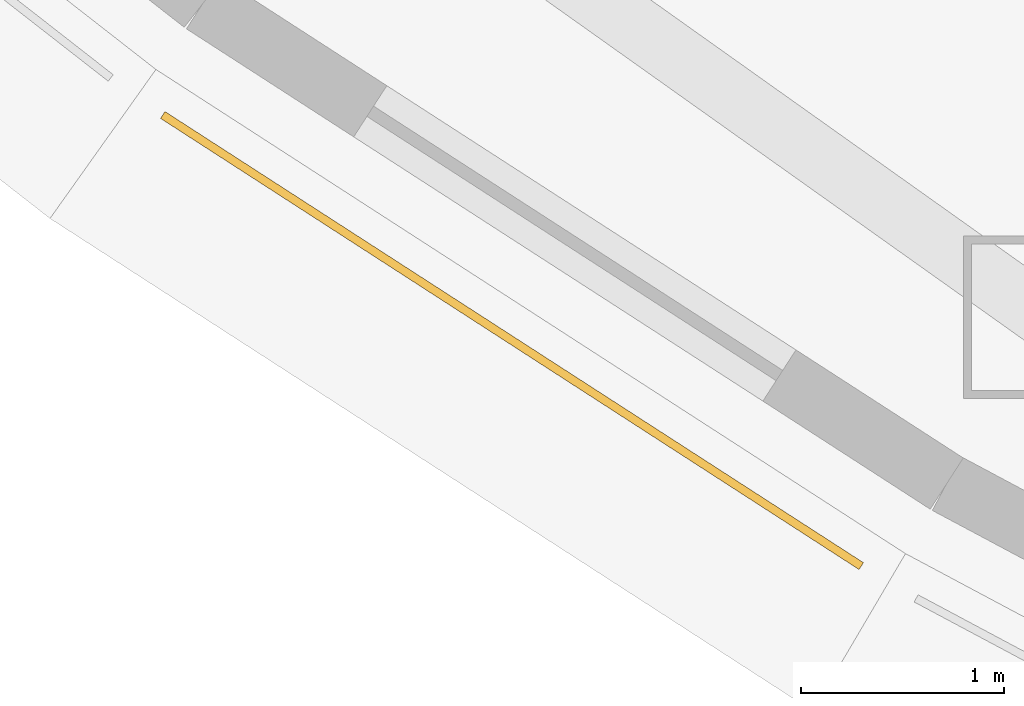
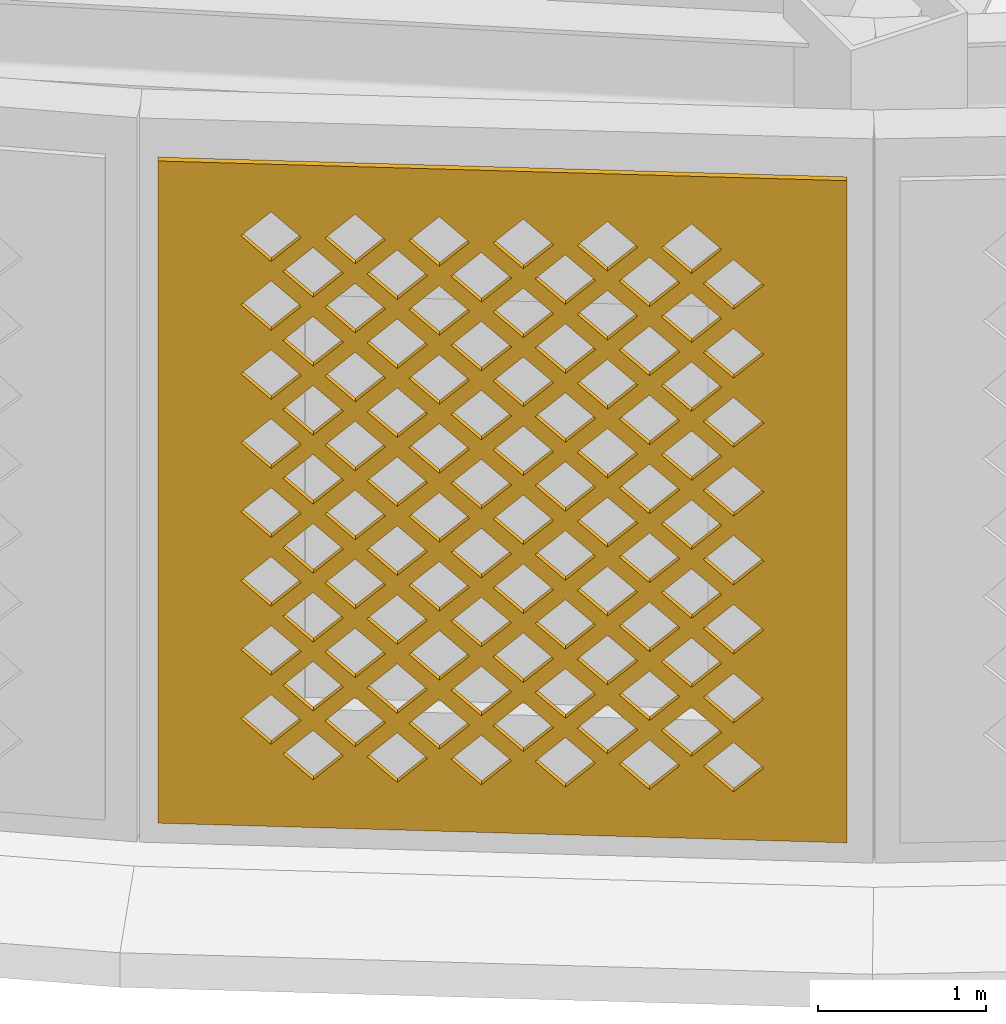
# One storey, part 34 of 69: 1 covering.
"""IFC4 building model written with IfcOpenShell, lengths in metres."""

from ifc_helpers import new_model, si_unit, direction, frame, origin, place, context, subcontext, project, spatial, polyline, outline, extrude, material, layer, layer_set, type_object, element, save


model = new_model("IFC4")

# Units and contexts
model_context = context("Model", 3, precision=1e-05, world=origin(), true_north=direction((0.0, 1.0)))
body_context = subcontext(model_context, "Body", "Model", "MODEL_VIEW")
ifc_project = project(units=[si_unit("LENGTHUNIT", "METRE"), si_unit("AREAUNIT", "SQUARE_METRE"), si_unit("VOLUMEUNIT", "CUBIC_METRE"), si_unit("PLANEANGLEUNIT", "RADIAN"), si_unit("MASSUNIT", "GRAM", prefix="KILO")], contexts=[model_context])

# Site, building, storey
site_placement = place(None, origin())
site = spatial("IfcSite", under=ifc_project, at=site_placement, CompositionType="ELEMENT")
building_placement = place(site_placement, origin())
building = spatial("IfcBuilding", under=site, at=building_placement, Name="Noorbagh Ring Tower", CompositionType="ELEMENT")
storey_placement = place(building_placement, frame((0.0, 0.0, 19.5)))
storey = spatial("IfcBuildingStorey", under=building, at=storey_placement, Name="L03", CompositionType="ELEMENT", Elevation=19.5)

# Covering
ifc_material = material(Name="Red sandstone jali", Category="masonry")
ifc_layer = layer(ifc_material, 0.0400390625)
ifc_layer_set = layer_set([ifc_layer], Name="Red sandstone jali")
covering_type = type_object("IfcCoveringType", Name="STY-JALI", PredefinedType="USERDEFINED", material=ifc_layer_set)
covering_placement = place(storey_placement, frame((-35.224853515625, -29.6494140625, 0.449951171875), z_axis=(-0.542524555296, -0.840039943634, 0.0), x_axis=(0.840039943634, -0.542524555296, 0.0)))
element("IfcCovering", 1, at=covering_placement, inside=storey, type_object=covering_type, Name="Jali screen", ObjectType="SCREEN", PredefinedType="USERDEFINED", context=body_context, shape_type="SweptSolid", body=[
    extrude(outline(polyline([(0.0, 0.0), (4.096435546875, 0.0), (4.096435546875, 4.800048828125), (0.0, 4.800048828125), (0.0, 0.0)]), holes=[polyline([(0.7431640625, 0.52490234375), (0.923095703125, 0.344970703125), (1.103271484375, 0.52490234375), (0.923095703125, 0.705078125), (0.7431640625, 0.52490234375)]), polyline([(1.2431640625, 0.52490234375), (1.423095703125, 0.344970703125), (1.603271484375, 0.52490234375), (1.423095703125, 0.705078125), (1.2431640625, 0.52490234375)]), polyline([(1.7431640625, 0.52490234375), (1.923095703125, 0.344970703125), (2.103271484375, 0.52490234375), (1.923095703125, 0.705078125), (1.7431640625, 0.52490234375)]), polyline([(2.2431640625, 0.52490234375), (2.423095703125, 0.344970703125), (2.603271484375, 0.52490234375), (2.423095703125, 0.705078125), (2.2431640625, 0.52490234375)]), polyline([(2.7431640625, 0.52490234375), (2.923095703125, 0.344970703125), (3.103271484375, 0.52490234375), (2.923095703125, 0.705078125), (2.7431640625, 0.52490234375)]), polyline([(3.2431640625, 0.52490234375), (3.423095703125, 0.344970703125), (3.603271484375, 0.52490234375), (3.423095703125, 0.705078125), (3.2431640625, 0.52490234375)]), polyline([(0.4931640625, 0.77490234375), (0.673095703125, 0.594970703125), (0.853271484375, 0.77490234375), (0.673095703125, 0.955078125), (0.4931640625, 0.77490234375)]), polyline([(0.9931640625, 0.77490234375), (1.173095703125, 0.594970703125), (1.353271484375, 0.77490234375), (1.173095703125, 0.955078125), (0.9931640625, 0.77490234375)]), polyline([(1.4931640625, 0.77490234375), (1.673095703125, 0.594970703125), (1.853271484375, 0.77490234375), (1.673095703125, 0.955078125), (1.4931640625, 0.77490234375)]), polyline([(1.9931640625, 0.77490234375), (2.173095703125, 0.594970703125), (2.353271484375, 0.77490234375), (2.173095703125, 0.955078125), (1.9931640625, 0.77490234375)]), polyline([(2.4931640625, 0.77490234375), (2.673095703125, 0.594970703125), (2.853271484375, 0.77490234375), (2.673095703125, 0.955078125), (2.4931640625, 0.77490234375)]), polyline([(2.9931640625, 0.77490234375), (3.173095703125, 0.594970703125), (3.353271484375, 0.77490234375), (3.173095703125, 0.955078125), (2.9931640625, 0.77490234375)]), polyline([(0.7431640625, 1.02490234375), (0.923095703125, 0.844970703125), (1.103271484375, 1.02490234375), (0.923095703125, 1.205078125), (0.7431640625, 1.02490234375)]), polyline([(1.2431640625, 1.02490234375), (1.423095703125, 0.844970703125), (1.603271484375, 1.02490234375), (1.423095703125, 1.205078125), (1.2431640625, 1.02490234375)]), polyline([(1.7431640625, 1.02490234375), (1.923095703125, 0.844970703125), (2.103271484375, 1.02490234375), (1.923095703125, 1.205078125), (1.7431640625, 1.02490234375)]), polyline([(2.2431640625, 1.02490234375), (2.423095703125, 0.844970703125), (2.603271484375, 1.02490234375), (2.423095703125, 1.205078125), (2.2431640625, 1.02490234375)]), polyline([(2.7431640625, 1.02490234375), (2.923095703125, 0.844970703125), (3.103271484375, 1.02490234375), (2.923095703125, 1.205078125), (2.7431640625, 1.02490234375)]), polyline([(3.2431640625, 1.02490234375), (3.423095703125, 0.844970703125), (3.603271484375, 1.02490234375), (3.423095703125, 1.205078125), (3.2431640625, 1.02490234375)]), polyline([(0.4931640625, 1.27490234375), (0.673095703125, 1.094970703125), (0.853271484375, 1.27490234375), (0.673095703125, 1.455078125), (0.4931640625, 1.27490234375)]), polyline([(0.9931640625, 1.27490234375), (1.173095703125, 1.094970703125), (1.353271484375, 1.27490234375), (1.173095703125, 1.455078125), (0.9931640625, 1.27490234375)]), polyline([(1.4931640625, 1.27490234375), (1.673095703125, 1.094970703125), (1.853271484375, 1.27490234375), (1.673095703125, 1.455078125), (1.4931640625, 1.27490234375)]), polyline([(1.9931640625, 1.27490234375), (2.173095703125, 1.094970703125), (2.353271484375, 1.27490234375), (2.173095703125, 1.455078125), (1.9931640625, 1.27490234375)]), polyline([(2.4931640625, 1.27490234375), (2.673095703125, 1.094970703125), (2.853271484375, 1.27490234375), (2.673095703125, 1.455078125), (2.4931640625, 1.27490234375)]), polyline([(2.9931640625, 1.27490234375), (3.173095703125, 1.094970703125), (3.353271484375, 1.27490234375), (3.173095703125, 1.455078125), (2.9931640625, 1.27490234375)]), polyline([(0.7431640625, 1.52490234375), (0.923095703125, 1.344970703125), (1.103271484375, 1.52490234375), (0.923095703125, 1.705078125), (0.7431640625, 1.52490234375)]), polyline([(1.2431640625, 1.52490234375), (1.423095703125, 1.344970703125), (1.603271484375, 1.52490234375), (1.423095703125, 1.705078125), (1.2431640625, 1.52490234375)]), polyline([(1.7431640625, 1.52490234375), (1.923095703125, 1.344970703125), (2.103271484375, 1.52490234375), (1.923095703125, 1.705078125), (1.7431640625, 1.52490234375)]), polyline([(2.2431640625, 1.52490234375), (2.423095703125, 1.344970703125), (2.603271484375, 1.52490234375), (2.423095703125, 1.705078125), (2.2431640625, 1.52490234375)]), polyline([(2.7431640625, 1.52490234375), (2.923095703125, 1.344970703125), (3.103271484375, 1.52490234375), (2.923095703125, 1.705078125), (2.7431640625, 1.52490234375)]), polyline([(3.2431640625, 1.52490234375), (3.423095703125, 1.344970703125), (3.603271484375, 1.52490234375), (3.423095703125, 1.705078125), (3.2431640625, 1.52490234375)]), polyline([(0.4931640625, 1.77490234375), (0.673095703125, 1.594970703125), (0.853271484375, 1.77490234375), (0.673095703125, 1.955078125), (0.4931640625, 1.77490234375)]), polyline([(0.9931640625, 1.77490234375), (1.173095703125, 1.594970703125), (1.353271484375, 1.77490234375), (1.173095703125, 1.955078125), (0.9931640625, 1.77490234375)]), polyline([(1.4931640625, 1.77490234375), (1.673095703125, 1.594970703125), (1.853271484375, 1.77490234375), (1.673095703125, 1.955078125), (1.4931640625, 1.77490234375)]), polyline([(1.9931640625, 1.77490234375), (2.173095703125, 1.594970703125), (2.353271484375, 1.77490234375), (2.173095703125, 1.955078125), (1.9931640625, 1.77490234375)]), polyline([(2.4931640625, 1.77490234375), (2.673095703125, 1.594970703125), (2.853271484375, 1.77490234375), (2.673095703125, 1.955078125), (2.4931640625, 1.77490234375)]), polyline([(2.9931640625, 1.77490234375), (3.173095703125, 1.594970703125), (3.353271484375, 1.77490234375), (3.173095703125, 1.955078125), (2.9931640625, 1.77490234375)]), polyline([(0.7431640625, 2.02490234375), (0.923095703125, 1.844970703125), (1.103271484375, 2.02490234375), (0.923095703125, 2.205078125), (0.7431640625, 2.02490234375)]), polyline([(1.2431640625, 2.02490234375), (1.423095703125, 1.844970703125), (1.603271484375, 2.02490234375), (1.423095703125, 2.205078125), (1.2431640625, 2.02490234375)]), polyline([(1.7431640625, 2.02490234375), (1.923095703125, 1.844970703125), (2.103271484375, 2.02490234375), (1.923095703125, 2.205078125), (1.7431640625, 2.02490234375)]), polyline([(2.2431640625, 2.02490234375), (2.423095703125, 1.844970703125), (2.603271484375, 2.02490234375), (2.423095703125, 2.205078125), (2.2431640625, 2.02490234375)]), polyline([(2.7431640625, 2.02490234375), (2.923095703125, 1.844970703125), (3.103271484375, 2.02490234375), (2.923095703125, 2.205078125), (2.7431640625, 2.02490234375)]), polyline([(3.2431640625, 2.02490234375), (3.423095703125, 1.844970703125), (3.603271484375, 2.02490234375), (3.423095703125, 2.205078125), (3.2431640625, 2.02490234375)]), polyline([(0.4931640625, 2.27490234375), (0.673095703125, 2.094970703125), (0.853271484375, 2.27490234375), (0.673095703125, 2.455078125), (0.4931640625, 2.27490234375)]), polyline([(0.9931640625, 2.27490234375), (1.173095703125, 2.094970703125), (1.353271484375, 2.27490234375), (1.173095703125, 2.455078125), (0.9931640625, 2.27490234375)]), polyline([(1.4931640625, 2.27490234375), (1.673095703125, 2.094970703125), (1.853271484375, 2.27490234375), (1.673095703125, 2.455078125), (1.4931640625, 2.27490234375)]), polyline([(1.9931640625, 2.27490234375), (2.173095703125, 2.094970703125), (2.353271484375, 2.27490234375), (2.173095703125, 2.455078125), (1.9931640625, 2.27490234375)]), polyline([(2.4931640625, 2.27490234375), (2.673095703125, 2.094970703125), (2.853271484375, 2.27490234375), (2.673095703125, 2.455078125), (2.4931640625, 2.27490234375)]), polyline([(2.9931640625, 2.27490234375), (3.173095703125, 2.094970703125), (3.353271484375, 2.27490234375), (3.173095703125, 2.455078125), (2.9931640625, 2.27490234375)]), polyline([(0.7431640625, 2.52490234375), (0.923095703125, 2.344970703125), (1.103271484375, 2.52490234375), (0.923095703125, 2.705078125), (0.7431640625, 2.52490234375)]), polyline([(1.2431640625, 2.52490234375), (1.423095703125, 2.344970703125), (1.603271484375, 2.52490234375), (1.423095703125, 2.705078125), (1.2431640625, 2.52490234375)]), polyline([(1.7431640625, 2.52490234375), (1.923095703125, 2.344970703125), (2.103271484375, 2.52490234375), (1.923095703125, 2.705078125), (1.7431640625, 2.52490234375)]), polyline([(2.2431640625, 2.52490234375), (2.423095703125, 2.344970703125), (2.603271484375, 2.52490234375), (2.423095703125, 2.705078125), (2.2431640625, 2.52490234375)]), polyline([(2.7431640625, 2.52490234375), (2.923095703125, 2.344970703125), (3.103271484375, 2.52490234375), (2.923095703125, 2.705078125), (2.7431640625, 2.52490234375)]), polyline([(3.2431640625, 2.52490234375), (3.423095703125, 2.344970703125), (3.603271484375, 2.52490234375), (3.423095703125, 2.705078125), (3.2431640625, 2.52490234375)]), polyline([(0.4931640625, 2.77490234375), (0.673095703125, 2.594970703125), (0.853271484375, 2.77490234375), (0.673095703125, 2.955078125), (0.4931640625, 2.77490234375)]), polyline([(0.9931640625, 2.77490234375), (1.173095703125, 2.594970703125), (1.353271484375, 2.77490234375), (1.173095703125, 2.955078125), (0.9931640625, 2.77490234375)]), polyline([(1.4931640625, 2.77490234375), (1.673095703125, 2.594970703125), (1.853271484375, 2.77490234375), (1.673095703125, 2.955078125), (1.4931640625, 2.77490234375)]), polyline([(1.9931640625, 2.77490234375), (2.173095703125, 2.594970703125), (2.353271484375, 2.77490234375), (2.173095703125, 2.955078125), (1.9931640625, 2.77490234375)]), polyline([(2.4931640625, 2.77490234375), (2.673095703125, 2.594970703125), (2.853271484375, 2.77490234375), (2.673095703125, 2.955078125), (2.4931640625, 2.77490234375)]), polyline([(2.9931640625, 2.77490234375), (3.173095703125, 2.594970703125), (3.353271484375, 2.77490234375), (3.173095703125, 2.955078125), (2.9931640625, 2.77490234375)]), polyline([(0.7431640625, 3.02490234375), (0.923095703125, 2.844970703125), (1.103271484375, 3.02490234375), (0.923095703125, 3.205078125), (0.7431640625, 3.02490234375)]), polyline([(1.2431640625, 3.02490234375), (1.423095703125, 2.844970703125), (1.603271484375, 3.02490234375), (1.423095703125, 3.205078125), (1.2431640625, 3.02490234375)]), polyline([(1.7431640625, 3.02490234375), (1.923095703125, 2.844970703125), (2.103271484375, 3.02490234375), (1.923095703125, 3.205078125), (1.7431640625, 3.02490234375)]), polyline([(2.2431640625, 3.02490234375), (2.423095703125, 2.844970703125), (2.603271484375, 3.02490234375), (2.423095703125, 3.205078125), (2.2431640625, 3.02490234375)]), polyline([(2.7431640625, 3.02490234375), (2.923095703125, 2.844970703125), (3.103271484375, 3.02490234375), (2.923095703125, 3.205078125), (2.7431640625, 3.02490234375)]), polyline([(3.2431640625, 3.02490234375), (3.423095703125, 2.844970703125), (3.603271484375, 3.02490234375), (3.423095703125, 3.205078125), (3.2431640625, 3.02490234375)]), polyline([(0.4931640625, 3.27490234375), (0.673095703125, 3.094970703125), (0.853271484375, 3.27490234375), (0.673095703125, 3.455078125), (0.4931640625, 3.27490234375)]), polyline([(0.9931640625, 3.27490234375), (1.173095703125, 3.094970703125), (1.353271484375, 3.27490234375), (1.173095703125, 3.455078125), (0.9931640625, 3.27490234375)]), polyline([(1.4931640625, 3.27490234375), (1.673095703125, 3.094970703125), (1.853271484375, 3.27490234375), (1.673095703125, 3.455078125), (1.4931640625, 3.27490234375)]), polyline([(1.9931640625, 3.27490234375), (2.173095703125, 3.094970703125), (2.353271484375, 3.27490234375), (2.173095703125, 3.455078125), (1.9931640625, 3.27490234375)]), polyline([(2.4931640625, 3.27490234375), (2.673095703125, 3.094970703125), (2.853271484375, 3.27490234375), (2.673095703125, 3.455078125), (2.4931640625, 3.27490234375)]), polyline([(2.9931640625, 3.27490234375), (3.173095703125, 3.094970703125), (3.353271484375, 3.27490234375), (3.173095703125, 3.455078125), (2.9931640625, 3.27490234375)]), polyline([(0.7431640625, 3.52490234375), (0.923095703125, 3.344970703125), (1.103271484375, 3.52490234375), (0.923095703125, 3.705078125), (0.7431640625, 3.52490234375)]), polyline([(1.2431640625, 3.52490234375), (1.423095703125, 3.344970703125), (1.603271484375, 3.52490234375), (1.423095703125, 3.705078125), (1.2431640625, 3.52490234375)]), polyline([(1.7431640625, 3.52490234375), (1.923095703125, 3.344970703125), (2.103271484375, 3.52490234375), (1.923095703125, 3.705078125), (1.7431640625, 3.52490234375)]), polyline([(2.2431640625, 3.52490234375), (2.423095703125, 3.344970703125), (2.603271484375, 3.52490234375), (2.423095703125, 3.705078125), (2.2431640625, 3.52490234375)]), polyline([(2.7431640625, 3.52490234375), (2.923095703125, 3.344970703125), (3.103271484375, 3.52490234375), (2.923095703125, 3.705078125), (2.7431640625, 3.52490234375)]), polyline([(3.2431640625, 3.52490234375), (3.423095703125, 3.344970703125), (3.603271484375, 3.52490234375), (3.423095703125, 3.705078125), (3.2431640625, 3.52490234375)]), polyline([(0.4931640625, 3.77490234375), (0.673095703125, 3.594970703125), (0.853271484375, 3.77490234375), (0.673095703125, 3.955078125), (0.4931640625, 3.77490234375)]), polyline([(0.9931640625, 3.77490234375), (1.173095703125, 3.594970703125), (1.353271484375, 3.77490234375), (1.173095703125, 3.955078125), (0.9931640625, 3.77490234375)]), polyline([(1.4931640625, 3.77490234375), (1.673095703125, 3.594970703125), (1.853271484375, 3.77490234375), (1.673095703125, 3.955078125), (1.4931640625, 3.77490234375)]), polyline([(1.9931640625, 3.77490234375), (2.173095703125, 3.594970703125), (2.353271484375, 3.77490234375), (2.173095703125, 3.955078125), (1.9931640625, 3.77490234375)]), polyline([(2.4931640625, 3.77490234375), (2.673095703125, 3.594970703125), (2.853271484375, 3.77490234375), (2.673095703125, 3.955078125), (2.4931640625, 3.77490234375)]), polyline([(2.9931640625, 3.77490234375), (3.173095703125, 3.594970703125), (3.353271484375, 3.77490234375), (3.173095703125, 3.955078125), (2.9931640625, 3.77490234375)]), polyline([(0.7431640625, 4.02490234375), (0.923095703125, 3.844970703125), (1.103271484375, 4.02490234375), (0.923095703125, 4.205078125), (0.7431640625, 4.02490234375)]), polyline([(1.2431640625, 4.02490234375), (1.423095703125, 3.844970703125), (1.603271484375, 4.02490234375), (1.423095703125, 4.205078125), (1.2431640625, 4.02490234375)]), polyline([(1.7431640625, 4.02490234375), (1.923095703125, 3.844970703125), (2.103271484375, 4.02490234375), (1.923095703125, 4.205078125), (1.7431640625, 4.02490234375)]), polyline([(2.2431640625, 4.02490234375), (2.423095703125, 3.844970703125), (2.603271484375, 4.02490234375), (2.423095703125, 4.205078125), (2.2431640625, 4.02490234375)]), polyline([(2.7431640625, 4.02490234375), (2.923095703125, 3.844970703125), (3.103271484375, 4.02490234375), (2.923095703125, 4.205078125), (2.7431640625, 4.02490234375)]), polyline([(3.2431640625, 4.02490234375), (3.423095703125, 3.844970703125), (3.603271484375, 4.02490234375), (3.423095703125, 4.205078125), (3.2431640625, 4.02490234375)]), polyline([(0.4931640625, 4.27490234375), (0.673095703125, 4.094970703125), (0.853271484375, 4.27490234375), (0.673095703125, 4.455078125), (0.4931640625, 4.27490234375)]), polyline([(0.9931640625, 4.27490234375), (1.173095703125, 4.094970703125), (1.353271484375, 4.27490234375), (1.173095703125, 4.455078125), (0.9931640625, 4.27490234375)]), polyline([(1.4931640625, 4.27490234375), (1.673095703125, 4.094970703125), (1.853271484375, 4.27490234375), (1.673095703125, 4.455078125), (1.4931640625, 4.27490234375)]), polyline([(1.9931640625, 4.27490234375), (2.173095703125, 4.094970703125), (2.353271484375, 4.27490234375), (2.173095703125, 4.455078125), (1.9931640625, 4.27490234375)]), polyline([(2.4931640625, 4.27490234375), (2.673095703125, 4.094970703125), (2.853271484375, 4.27490234375), (2.673095703125, 4.455078125), (2.4931640625, 4.27490234375)]), polyline([(2.9931640625, 4.27490234375), (3.173095703125, 4.094970703125), (3.353271484375, 4.27490234375), (3.173095703125, 4.455078125), (2.9931640625, 4.27490234375)])]), origin(), (0.0, 0.0, -1.0), 0.0400390625),
])

save(model, "model.ifc")
